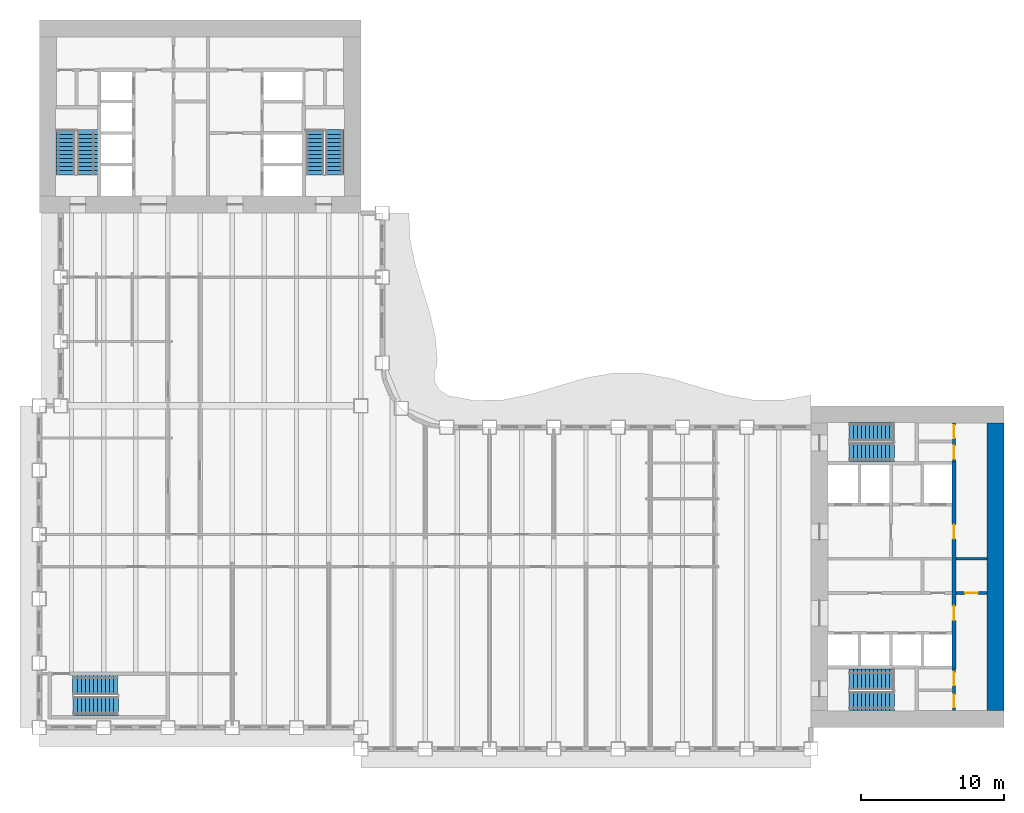
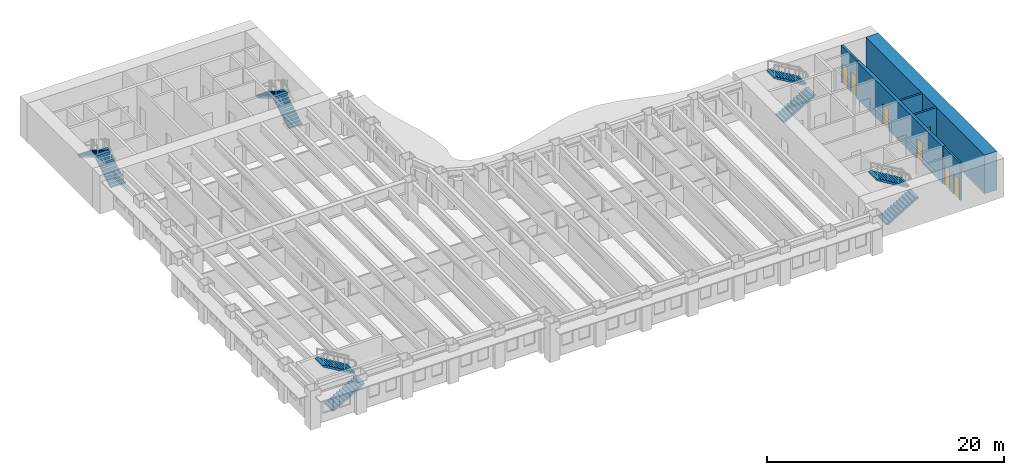
# One storey, part 10 of 16: 10 stair flights, 7 doors, 6 walls, 7 openings, 5 elements without a shape of their own.
"""IFC4 building model written with IfcOpenShell, lengths in metres."""

from ifc_helpers import new_model, si_unit, direction, frame, frame_2d, origin, place, context, subcontext, project, spatial, polyline, rectangle, outline, extrude, material, layer, layer_set, type_object, element, fill, aggregate, save


model = new_model("IFC4")

# Units and contexts
model_context = context("Model", 3, precision=1e-05, world=origin(), true_north=direction((0.0, 1.0)))
body_context = subcontext(model_context, "Body", "Model", "MODEL_VIEW")
ifc_project = project(units=[si_unit("LENGTHUNIT", "METRE"), si_unit("AREAUNIT", "SQUARE_METRE"), si_unit("VOLUMEUNIT", "CUBIC_METRE"), si_unit("PLANEANGLEUNIT", "RADIAN"), si_unit("MASSUNIT", "GRAM", prefix="KILO")], contexts=[model_context])

# Site, building, storey
site_placement = place(None, origin())
site = spatial("IfcSite", under=ifc_project, at=site_placement, CompositionType="ELEMENT")
building_placement = place(site_placement, origin())
building = spatial("IfcBuilding", under=site, at=building_placement, Name="Sennacour Bend Tower", CompositionType="ELEMENT")
storey_placement = place(building_placement, frame((0.0, 0.0, 123.0)))
storey = spatial("IfcBuildingStorey", under=building, at=storey_placement, Name="L28", CompositionType="ELEMENT", Elevation=123.0)

# Wall
ifc_material_1 = material(Name="Concrete C80/95", Category="concrete")
ifc_layer_1 = layer(ifc_material_1, 1.199951171875, Name="Concrete C80/95", Category="concrete")
ifc_layer_set_1 = layer_set([ifc_layer_1], Name="Concrete C80/95")
wall_type_1 = type_object("IfcWallType", Name="Core wall 1200 C80/95", PredefinedType="SHEAR", material=ifc_layer_set_1)
wall_1_placement = place(storey_placement, frame((66.89990234375, 1.199951171875, -0.14990234375), z_axis=(0.0, 0.0, 1.0), x_axis=(0.0, 1.0, 0.0)))
element("IfcWall", 1, at=wall_1_placement, inside=storey, type_object=wall_type_1, Name="Core A wall L28 E", PredefinedType="SHEAR", context=body_context, shape_type="SweptSolid", body=[
    extrude(rectangle(XDim=20.10009765625, YDim=1.199951171875, at=frame_2d((10.050048828125, 0.0))), origin(), (0.0, 0.0, 1.0), 4.0),
])

# Wall, openings, doors
ifc_material_2 = material(Name="Fire-rated plasterboard partition on steel studs", Category="steel")
ifc_layer_2 = layer(ifc_material_2, 0.199951171875, Name="Fire-rated plasterboard partition on steel studs", Category="steel")
ifc_layer_set_2 = layer_set([ifc_layer_2], Name="Fire-rated plasterboard partition on steel studs")
wall_type_2 = type_object("IfcWallType", Name="Rated partition 200", PredefinedType="PARTITIONING", material=ifc_layer_set_2)
wall_2_placement = place(storey_placement, frame((64.0, 1.199951171875, 0.0), z_axis=(0.0, 0.0, 1.0), x_axis=(0.0, 1.0, 0.0)))
wall_2 = element("IfcWall", 2, at=wall_2_placement, inside=storey, type_object=wall_type_2, Name="P-L28-W045", PredefinedType="PARTITIONING", context=body_context, shape_type="SweptSolid", body=[
    extrude(rectangle(XDim=2.900146484375, YDim=0.199951171875, at=frame_2d((1.4501953125, 0.0))), origin(), (0.0, 0.0, 1.0), 3.85009765625),
])
opening_1_placement = place(wall_2_placement, frame((0.199951171875, 0.0, 0.0)))
opening_1 = element("IfcOpeningElement", 3, at=opening_1_placement, cuts=wall_2, Name="Opening SV", PredefinedType="OPENING", context=body_context, shape_type="SweptSolid", body=[
    extrude(rectangle(XDim=0.89990234375, YDim=2.10009765625, at=frame_2d((0.449951171875, 1.050048828125))), frame((0.0, 0.10986328125, 0.0), z_axis=(0.0, -1.0, 0.0), x_axis=(1.0, 0.0, 0.0)), (0.0, 0.0, 1.0), 0.219970703125),
])
opening_2_placement = place(wall_2_placement, frame((1.75, 0.0, 0.0)))
opening_2 = element("IfcOpeningElement", 4, at=opening_2_placement, cuts=wall_2, Name="Opening WD", PredefinedType="OPENING", context=body_context, shape_type="SweptSolid", body=[
    extrude(rectangle(XDim=0.89990234375, YDim=2.10009765625, at=frame_2d((0.449951171875, 1.050048828125))), frame((0.0, 0.10986328125, 0.0), z_axis=(0.0, -1.0, 0.0), x_axis=(1.0, 0.0, 0.0)), (0.0, 0.0, 1.0), 0.219970703125),
])
ifc_material_3 = material(Name="Painted steel", Category="steel")
door_type_1 = type_object("IfcDoorType", Name="DR-SERVICE-900", OperationType="NOTDEFINED", PredefinedType="DOOR", material=ifc_material_3)
door_1_placement = place(opening_1_placement, origin())
door_1 = element("IfcDoor", 5, at=door_1_placement, inside=storey, type_object=door_type_1, Name="Door", OperationType="SINGLE_SWING_LEFT", OverallHeight=2.10009765625, OverallWidth=0.89990234375, PredefinedType="DOOR", context=body_context, shape_type="SweptSolid", body=[
    extrude(rectangle(XDim=0.89990234375, YDim=2.10009765625, at=frame_2d((0.449951171875, 1.050048828125))), frame((0.0, 0.02490234375, 0.0), z_axis=(0.0, -1.0, 0.0), x_axis=(1.0, 0.0, 0.0)), (0.0, 0.0, 1.0), 0.050048828125),
])
fill(opening_1, door_1)
ifc_material_4 = material(Name="Timber", Category="wood")
door_type_2 = type_object("IfcDoorType", Name="DR-WC-900", OperationType="NOTDEFINED", PredefinedType="DOOR", material=ifc_material_4)
door_2_placement = place(opening_2_placement, origin())
door_2 = element("IfcDoor", 6, at=door_2_placement, inside=storey, type_object=door_type_2, Name="Door", OperationType="SINGLE_SWING_RIGHT", OverallHeight=2.10009765625, OverallWidth=0.89990234375, PredefinedType="DOOR", context=body_context, shape_type="SweptSolid", body=[
    extrude(rectangle(XDim=0.89990234375, YDim=2.10009765625, at=frame_2d((0.449951171875, 1.050048828125))), frame((0.0, 0.02490234375, 0.0), z_axis=(0.0, -1.0, 0.0), x_axis=(1.0, 0.0, 0.0)), (0.0, 0.0, 1.0), 0.050048828125),
])
fill(opening_2, door_2)

wall_3_placement = place(storey_placement, frame((64.0, 18.60009765625, 0.0), z_axis=(0.0, 0.0, 1.0), x_axis=(0.0, 1.0, 0.0)))
wall_3 = element("IfcWall", 7, at=wall_3_placement, inside=storey, type_object=wall_type_2, Name="P-L28-W047", PredefinedType="PARTITIONING", context=body_context, shape_type="SweptSolid", body=[
    extrude(rectangle(XDim=2.699951171875, YDim=0.199951171875, at=frame_2d((1.35009765625, 0.0))), origin(), (0.0, 0.0, 1.0), 3.85009765625),
])
opening_3_placement = place(wall_3_placement, frame((0.199951171875, 0.0, 0.0)))
opening_3 = element("IfcOpeningElement", 8, at=opening_3_placement, cuts=wall_3, Name="Opening SV", PredefinedType="OPENING", context=body_context, shape_type="SweptSolid", body=[
    extrude(rectangle(XDim=0.89990234375, YDim=2.10009765625, at=frame_2d((0.449951171875, 1.050048828125))), frame((0.0, 0.10986328125, 0.0), z_axis=(0.0, -1.0, 0.0), x_axis=(1.0, 0.0, 0.0)), (0.0, 0.0, 1.0), 0.219970703125),
])
opening_4_placement = place(wall_3_placement, frame((1.64990234375, 0.0, 0.0)))
opening_4 = element("IfcOpeningElement", 9, at=opening_4_placement, cuts=wall_3, Name="Opening SV", PredefinedType="OPENING", context=body_context, shape_type="SweptSolid", body=[
    extrude(rectangle(XDim=0.89990234375, YDim=2.10009765625, at=frame_2d((0.449951171875, 1.050048828125))), frame((0.0, 0.10986328125, 0.0), z_axis=(0.0, -1.0, 0.0), x_axis=(1.0, 0.0, 0.0)), (0.0, 0.0, 1.0), 0.219970703125),
])
door_3_placement = place(opening_3_placement, origin())
door_3 = element("IfcDoor", 10, at=door_3_placement, inside=storey, type_object=door_type_1, Name="Door", OperationType="SINGLE_SWING_LEFT", OverallHeight=2.10009765625, OverallWidth=0.89990234375, PredefinedType="DOOR", context=body_context, shape_type="SweptSolid", body=[
    extrude(rectangle(XDim=0.89990234375, YDim=2.10009765625, at=frame_2d((0.449951171875, 1.050048828125))), frame((0.0, 0.02490234375, 0.0), z_axis=(0.0, -1.0, 0.0), x_axis=(1.0, 0.0, 0.0)), (0.0, 0.0, 1.0), 0.050048828125),
])
fill(opening_3, door_3)
door_4_placement = place(opening_4_placement, origin())
door_4 = element("IfcDoor", 11, at=door_4_placement, inside=storey, type_object=door_type_1, Name="Door", OperationType="SINGLE_SWING_RIGHT", OverallHeight=2.10009765625, OverallWidth=0.89990234375, PredefinedType="DOOR", context=body_context, shape_type="SweptSolid", body=[
    extrude(rectangle(XDim=0.89990234375, YDim=2.10009765625, at=frame_2d((0.449951171875, 1.050048828125))), frame((0.0, 0.02490234375, 0.0), z_axis=(0.0, -1.0, 0.0), x_axis=(1.0, 0.0, 0.0)), (0.0, 0.0, 1.0), 0.050048828125),
])
fill(opening_4, door_4)

# Wall, opening, door
wall_4_placement = place(storey_placement, frame((64.14990234375, 9.39990234375, 0.0), z_axis=(0.0, 0.0, 1.0), x_axis=(1.0, 0.0, 0.0)))
wall_4 = element("IfcWall", 12, at=wall_4_placement, inside=storey, type_object=wall_type_2, Name="P-L28-W057c", PredefinedType="PARTITIONING", context=body_context, shape_type="SweptSolid", body=[
    extrude(rectangle(XDim=2.150146484375, YDim=0.199951171875, at=frame_2d((1.0751953125, 0.0))), origin(), (0.0, 0.0, 1.0), 3.85009765625),
])
opening_5_placement = place(wall_4_placement, frame((0.625, 0.0, 0.0)))
opening_5 = element("IfcOpeningElement", 13, at=opening_5_placement, cuts=wall_4, Name="Opening SV", PredefinedType="OPENING", context=body_context, shape_type="SweptSolid", body=[
    extrude(rectangle(XDim=0.89990234375, YDim=2.10009765625, at=frame_2d((0.449951171875, 1.050048828125))), frame((0.0, 0.10986328125, 0.0), z_axis=(0.0, -1.0, 0.0), x_axis=(1.0, 0.0, 0.0)), (0.0, 0.0, 1.0), 0.219970703125),
])
door_5_placement = place(opening_5_placement, origin())
door_5 = element("IfcDoor", 14, at=door_5_placement, inside=storey, type_object=door_type_1, Name="Door", OperationType="SINGLE_SWING_LEFT", OverallHeight=2.10009765625, OverallWidth=0.89990234375, PredefinedType="DOOR", context=body_context, shape_type="SweptSolid", body=[
    extrude(rectangle(XDim=0.89990234375, YDim=2.10009765625, at=frame_2d((0.449951171875, 1.050048828125))), frame((0.0, 0.02490234375, 0.0), z_axis=(0.0, -1.0, 0.0), x_axis=(1.0, 0.0, 0.0)), (0.0, 0.0, 1.0), 0.050048828125),
])
fill(opening_5, door_5)

# Wall
wall_5_placement = place(storey_placement, frame((64.14990234375, 11.800048828125, 0.0), z_axis=(0.0, 0.0, 1.0), x_axis=(1.0, 0.0, 0.0)))
element("IfcWall", 15, at=wall_5_placement, inside=storey, type_object=wall_type_2, Name="P-L28-W059d", PredefinedType="PARTITIONING", context=body_context, shape_type="SweptSolid", body=[
    extrude(rectangle(XDim=2.150146484375, YDim=0.199951171875, at=frame_2d((1.0751953125, 0.0))), origin(), (0.0, 0.0, 1.0), 3.85009765625),
])

# Wall, openings, doors
ifc_material_5 = material(Name="Concrete C60/75", Category="concrete")
ifc_layer_3 = layer(ifc_material_5, 0.300048828125, Name="Concrete C60/75", Category="concrete")
ifc_layer_set_3 = layer_set([ifc_layer_3], Name="Concrete C60/75")
wall_type_3 = type_object("IfcWallType", Name="Spine wall 300", PredefinedType="SHEAR", material=ifc_layer_set_3)
wall_6_placement = place(storey_placement, frame((64.0, 4.10009765625, 0.0), z_axis=(0.0, 0.0, 1.0), x_axis=(0.0, 1.0, 0.0)))
wall_6 = element("IfcWall", 16, at=wall_6_placement, inside=storey, type_object=wall_type_3, Name="P-L28-W046", PredefinedType="SHEAR", context=body_context, shape_type="SweptSolid", body=[
    extrude(rectangle(XDim=14.5, YDim=0.300048828125, at=frame_2d((7.25, 0.0))), origin(), (0.0, 0.0, 1.0), 3.85009765625),
])
opening_6_placement = place(wall_6_placement, frame((3.39990234375, 0.0, 0.0)))
opening_6 = element("IfcOpeningElement", 17, at=opening_6_placement, cuts=wall_6, Name="Opening CD2", PredefinedType="OPENING", context=body_context, shape_type="SweptSolid", body=[
    extrude(rectangle(XDim=1.0, YDim=2.10009765625, at=frame_2d((0.5, 1.050048828125))), frame((0.0, 0.16015625, 0.0), z_axis=(0.0, -1.0, 0.0), x_axis=(1.0, 0.0, 0.0)), (0.0, 0.0, 1.0), 0.320068359375),
])
opening_7_placement = place(wall_6_placement, frame((9.099853515625, 0.0, 0.0)))
opening_7 = element("IfcOpeningElement", 18, at=opening_7_placement, cuts=wall_6, Name="Opening CD2", PredefinedType="OPENING", context=body_context, shape_type="SweptSolid", body=[
    extrude(rectangle(XDim=1.0, YDim=2.10009765625, at=frame_2d((0.5, 1.050048828125))), frame((0.0, 0.16015625, 0.0), z_axis=(0.0, -1.0, 0.0), x_axis=(1.0, 0.0, 0.0)), (0.0, 0.0, 1.0), 0.320068359375),
])
door_type_3 = type_object("IfcDoorType", Name="DR-LOBBY-1000", OperationType="NOTDEFINED", PredefinedType="DOOR", material=ifc_material_3)
door_6_placement = place(opening_6_placement, origin())
door_6 = element("IfcDoor", 19, at=door_6_placement, inside=storey, type_object=door_type_3, Name="Door", OperationType="SINGLE_SWING_LEFT", OverallHeight=2.10009765625, OverallWidth=1.0, PredefinedType="DOOR", context=body_context, shape_type="SweptSolid", body=[
    extrude(rectangle(XDim=1.0, YDim=2.10009765625, at=frame_2d((0.5, 1.050048828125))), frame((0.0, 0.02490234375, 0.0), z_axis=(0.0, -1.0, 0.0), x_axis=(1.0, 0.0, 0.0)), (0.0, 0.0, 1.0), 0.050048828125),
])
fill(opening_6, door_6)
door_7_placement = place(opening_7_placement, origin())
door_7 = element("IfcDoor", 20, at=door_7_placement, inside=storey, type_object=door_type_3, Name="Door", OperationType="SINGLE_SWING_RIGHT", OverallHeight=2.10009765625, OverallWidth=1.0, PredefinedType="DOOR", context=body_context, shape_type="SweptSolid", body=[
    extrude(rectangle(XDim=1.0, YDim=2.10009765625, at=frame_2d((0.5, 1.050048828125))), frame((0.0, 0.02490234375, 0.0), z_axis=(0.0, -1.0, 0.0), x_axis=(1.0, 0.0, 0.0)), (0.0, 0.0, 1.0), 0.050048828125),
])
fill(opening_7, door_7)

# Stair, stair flights
ifc_material_6 = material(Name="Concrete C40/50", Category="concrete")
stair_type = type_object("IfcStairType", Name="ST-DOGLEG", PredefinedType="HALF_TURN_STAIR", material=ifc_material_6)
stair_1_placement = place(storey_placement, origin())
stair_1 = element("IfcStair", 21, at=stair_1_placement, inside=storey, type_object=stair_type, Name="L28 Exit stair A1", PredefinedType="HALF_TURN_STAIR")
stair_flight_type = type_object("IfcStairFlightType", Name="SFL-RC", PredefinedType="STRAIGHT", material=ifc_material_6)
stair_flight_1_placement = place(storey_placement, frame((56.699951171875, 1.8349609375, 0.0), z_axis=(0.0, 0.0, 1.0), x_axis=(1.0, 0.0, 0.0)))
stair_flight_1 = element("IfcStairFlight", 22, at=stair_flight_1_placement, type_object=stair_flight_type, Name="SA1 flight 1", NumberOfRisers=12, NumberOfTreads=11, PredefinedType="STRAIGHT", RiserHeight=0.166666667, TreadLength=0.28, context=body_context, shape_type="SweptSolid", body=[
    extrude(outline(polyline([(0.0, 0.0), (0.0, 0.166748046875), (0.280029296875, 0.166748046875), (0.280029296875, 0.333251953125), (0.56005859375, 0.333251953125), (0.56005859375, 0.5), (0.840087890625, 0.5), (0.840087890625, 0.666748046875), (1.1201171875, 0.666748046875), (1.1201171875, 0.833251953125), (1.39990234375, 0.833251953125), (1.39990234375, 1.0), (1.679931640625, 1.0), (1.679931640625, 1.166748046875), (1.9599609375, 1.166748046875), (1.9599609375, 1.333251953125), (2.239990234375, 1.333251953125), (2.239990234375, 1.5), (2.52001953125, 1.5), (2.52001953125, 1.666748046875), (2.800048828125, 1.666748046875), (2.800048828125, 1.833251953125), (3.080078125, 1.833251953125), (3.139892578125, 1.833251953125), (3.139892578125, 1.658935546875), (3.080078125, 1.658935546875), (0.29296875, 0.0), (0.0, 0.0)])), frame((0.0, 0.6650390625, 0.0), z_axis=(0.0, -1.0, 0.0), x_axis=(1.0, 0.0, 0.0)), (0.0, 0.0, 1.0), 1.330078125),
])
stair_flight_2_placement = place(storey_placement, frame((59.780029296875, 3.37744140625, 2.0), z_axis=(0.0, 0.0, 1.0), x_axis=(-1.0, 0.0, 0.0)))
stair_flight_2 = element("IfcStairFlight", 23, at=stair_flight_2_placement, type_object=stair_flight_type, Name="SA1 flight 2", NumberOfRisers=12, NumberOfTreads=11, PredefinedType="STRAIGHT", RiserHeight=0.166666667, TreadLength=0.28, context=body_context, shape_type="SweptSolid", body=[
    extrude(outline(polyline([(0.0, 0.0), (0.0, 0.166748046875), (0.280029296875, 0.166748046875), (0.280029296875, 0.333251953125), (0.56005859375, 0.333251953125), (0.56005859375, 0.5), (0.840087890625, 0.5), (0.840087890625, 0.666748046875), (1.1201171875, 0.666748046875), (1.1201171875, 0.833251953125), (1.39990234375, 0.833251953125), (1.39990234375, 1.0), (1.679931640625, 1.0), (1.679931640625, 1.166748046875), (1.9599609375, 1.166748046875), (1.9599609375, 1.333251953125), (2.239990234375, 1.333251953125), (2.239990234375, 1.5), (2.52001953125, 1.5), (2.52001953125, 1.666748046875), (2.800048828125, 1.666748046875), (2.800048828125, 1.833251953125), (3.080078125, 1.833251953125), (3.139892578125, 1.833251953125), (3.139892578125, 1.658935546875), (3.080078125, 1.658935546875), (0.29296875, 0.0), (0.0, 0.0)])), frame((0.0, 0.7275390625, 0.0), z_axis=(0.0, -1.0, 0.0), x_axis=(1.0, 0.0, 0.0)), (0.0, 0.0, 1.0), 1.455078125),
])
aggregate(stair_1, [stair_flight_1, stair_flight_2])

stair_2_placement = place(storey_placement, origin())
stair_2 = element("IfcStair", 24, at=stair_2_placement, inside=storey, type_object=stair_type, Name="L28 Exit stair A2", PredefinedType="HALF_TURN_STAIR")
stair_flight_3_placement = place(storey_placement, frame((56.699951171875, 19.24755859375, 0.0), z_axis=(0.0, 0.0, 1.0), x_axis=(1.0, 0.0, 0.0)))
stair_flight_3 = element("IfcStairFlight", 25, at=stair_flight_3_placement, type_object=stair_flight_type, Name="SA2 flight 1", NumberOfRisers=12, NumberOfTreads=11, PredefinedType="STRAIGHT", RiserHeight=0.166666667, TreadLength=0.28, context=body_context, shape_type="SweptSolid", body=[
    extrude(outline(polyline([(0.0, 0.0), (0.0, 0.166748046875), (0.280029296875, 0.166748046875), (0.280029296875, 0.333251953125), (0.56005859375, 0.333251953125), (0.56005859375, 0.5), (0.840087890625, 0.5), (0.840087890625, 0.666748046875), (1.1201171875, 0.666748046875), (1.1201171875, 0.833251953125), (1.39990234375, 0.833251953125), (1.39990234375, 1.0), (1.679931640625, 1.0), (1.679931640625, 1.166748046875), (1.9599609375, 1.166748046875), (1.9599609375, 1.333251953125), (2.239990234375, 1.333251953125), (2.239990234375, 1.5), (2.52001953125, 1.5), (2.52001953125, 1.666748046875), (2.800048828125, 1.666748046875), (2.800048828125, 1.833251953125), (3.080078125, 1.833251953125), (3.139892578125, 1.833251953125), (3.139892578125, 1.658935546875), (3.080078125, 1.658935546875), (0.29296875, 0.0), (0.0, 0.0)])), frame((0.0, 0.65234375, 0.0), z_axis=(0.0, -1.0, 0.0), x_axis=(1.0, 0.0, 0.0)), (0.0, 0.0, 1.0), 1.304931640625),
])
stair_flight_4_placement = place(storey_placement, frame((59.780029296875, 20.68994140625, 2.0), z_axis=(0.0, 0.0, 1.0), x_axis=(-1.0, 0.0, 0.0)))
stair_flight_4 = element("IfcStairFlight", 26, at=stair_flight_4_placement, type_object=stair_flight_type, Name="SA2 flight 2", NumberOfRisers=12, NumberOfTreads=11, PredefinedType="STRAIGHT", RiserHeight=0.166666667, TreadLength=0.28, context=body_context, shape_type="SweptSolid", body=[
    extrude(outline(polyline([(0.0, 0.0), (0.0, 0.166748046875), (0.280029296875, 0.166748046875), (0.280029296875, 0.333251953125), (0.56005859375, 0.333251953125), (0.56005859375, 0.5), (0.840087890625, 0.5), (0.840087890625, 0.666748046875), (1.1201171875, 0.666748046875), (1.1201171875, 0.833251953125), (1.39990234375, 0.833251953125), (1.39990234375, 1.0), (1.679931640625, 1.0), (1.679931640625, 1.166748046875), (1.9599609375, 1.166748046875), (1.9599609375, 1.333251953125), (2.239990234375, 1.333251953125), (2.239990234375, 1.5), (2.52001953125, 1.5), (2.52001953125, 1.666748046875), (2.800048828125, 1.666748046875), (2.800048828125, 1.833251953125), (3.080078125, 1.833251953125), (3.139892578125, 1.833251953125), (3.139892578125, 1.658935546875), (3.080078125, 1.658935546875), (0.29296875, 0.0), (0.0, 0.0)])), frame((0.0, 0.64013671875, 0.0), z_axis=(0.0, -1.0, 0.0), x_axis=(1.0, 0.0, 0.0)), (0.0, 0.0, 1.0), 1.280029296875),
])
aggregate(stair_2, [stair_flight_3, stair_flight_4])

stair_3_placement = place(storey_placement, origin())
stair_3 = element("IfcStair", 27, at=stair_3_placement, inside=storey, type_object=stair_type, Name="L28 Exit stair B1", PredefinedType="HALF_TURN_STAIR")
stair_flight_5_placement = place(storey_placement, frame((3.37744140625, 38.699951171875, 0.0), z_axis=(0.0, 0.0, 1.0), x_axis=(0.0, 1.0, 0.0)))
stair_flight_5 = element("IfcStairFlight", 28, at=stair_flight_5_placement, type_object=stair_flight_type, Name="SB1 flight 1", NumberOfRisers=12, NumberOfTreads=11, PredefinedType="STRAIGHT", RiserHeight=0.166666667, TreadLength=0.28, context=body_context, shape_type="SweptSolid", body=[
    extrude(outline(polyline([(0.0, 0.0), (0.0, 0.166748046875), (0.280029296875, 0.166748046875), (0.280029296875, 0.333251953125), (0.56005859375, 0.333251953125), (0.56005859375, 0.5), (0.840087890625, 0.5), (0.840087890625, 0.666748046875), (1.1201171875, 0.666748046875), (1.1201171875, 0.833251953125), (1.39990234375, 0.833251953125), (1.39990234375, 1.0), (1.679931640625, 1.0), (1.679931640625, 1.166748046875), (1.9599609375, 1.166748046875), (1.9599609375, 1.333251953125), (2.239990234375, 1.333251953125), (2.239990234375, 1.5), (2.52001953125, 1.5), (2.52001953125, 1.666748046875), (2.800048828125, 1.666748046875), (2.800048828125, 1.833251953125), (3.080078125, 1.833251953125), (3.139892578125, 1.833251953125), (3.139892578125, 1.658935546875), (3.080078125, 1.658935546875), (0.29296875, 0.0), (0.0, 0.0)])), frame((0.0, 0.7275390625, 0.0), z_axis=(0.0, -1.0, 0.0), x_axis=(1.0, 0.0, 0.0)), (0.0, 0.0, 1.0), 1.455078125),
])
stair_flight_6_placement = place(storey_placement, frame((1.8349609375, 41.780029296875, 2.0), z_axis=(0.0, 0.0, 1.0), x_axis=(0.0, -1.0, 0.0)))
stair_flight_6 = element("IfcStairFlight", 29, at=stair_flight_6_placement, type_object=stair_flight_type, Name="SB1 flight 2", NumberOfRisers=12, NumberOfTreads=11, PredefinedType="STRAIGHT", RiserHeight=0.166666667, TreadLength=0.28, context=body_context, shape_type="SweptSolid", body=[
    extrude(outline(polyline([(0.0, 0.0), (0.0, 0.166748046875), (0.280029296875, 0.166748046875), (0.280029296875, 0.333251953125), (0.56005859375, 0.333251953125), (0.56005859375, 0.5), (0.840087890625, 0.5), (0.840087890625, 0.666748046875), (1.1201171875, 0.666748046875), (1.1201171875, 0.833251953125), (1.39990234375, 0.833251953125), (1.39990234375, 1.0), (1.679931640625, 1.0), (1.679931640625, 1.166748046875), (1.9599609375, 1.166748046875), (1.9599609375, 1.333251953125), (2.239990234375, 1.333251953125), (2.239990234375, 1.5), (2.52001953125, 1.5), (2.52001953125, 1.666748046875), (2.800048828125, 1.666748046875), (2.800048828125, 1.833251953125), (3.080078125, 1.833251953125), (3.139892578125, 1.833251953125), (3.139892578125, 1.658935546875), (3.080078125, 1.658935546875), (0.29296875, 0.0), (0.0, 0.0)])), frame((0.0, 0.6650390625, 0.0), z_axis=(0.0, -1.0, 0.0), x_axis=(1.0, 0.0, 0.0)), (0.0, 0.0, 1.0), 1.330078125),
])
aggregate(stair_3, [stair_flight_5, stair_flight_6])

stair_4_placement = place(storey_placement, origin())
stair_4 = element("IfcStair", 30, at=stair_4_placement, inside=storey, type_object=stair_type, Name="L28 Exit stair B2", PredefinedType="HALF_TURN_STAIR")
stair_flight_7_placement = place(storey_placement, frame((20.68994140625, 38.699951171875, 0.0), z_axis=(0.0, 0.0, 1.0), x_axis=(0.0, 1.0, 0.0)))
stair_flight_7 = element("IfcStairFlight", 31, at=stair_flight_7_placement, type_object=stair_flight_type, Name="SB2 flight 1", NumberOfRisers=12, NumberOfTreads=11, PredefinedType="STRAIGHT", RiserHeight=0.166666667, TreadLength=0.28, context=body_context, shape_type="SweptSolid", body=[
    extrude(outline(polyline([(0.0, 0.0), (0.0, 0.166748046875), (0.280029296875, 0.166748046875), (0.280029296875, 0.333251953125), (0.56005859375, 0.333251953125), (0.56005859375, 0.5), (0.840087890625, 0.5), (0.840087890625, 0.666748046875), (1.1201171875, 0.666748046875), (1.1201171875, 0.833251953125), (1.39990234375, 0.833251953125), (1.39990234375, 1.0), (1.679931640625, 1.0), (1.679931640625, 1.166748046875), (1.9599609375, 1.166748046875), (1.9599609375, 1.333251953125), (2.239990234375, 1.333251953125), (2.239990234375, 1.5), (2.52001953125, 1.5), (2.52001953125, 1.666748046875), (2.800048828125, 1.666748046875), (2.800048828125, 1.833251953125), (3.080078125, 1.833251953125), (3.139892578125, 1.833251953125), (3.139892578125, 1.658935546875), (3.080078125, 1.658935546875), (0.29296875, 0.0), (0.0, 0.0)])), frame((0.0, 0.64013671875, 0.0), z_axis=(0.0, -1.0, 0.0), x_axis=(1.0, 0.0, 0.0)), (0.0, 0.0, 1.0), 1.280029296875),
])
stair_flight_8_placement = place(storey_placement, frame((19.24755859375, 41.780029296875, 2.0), z_axis=(0.0, 0.0, 1.0), x_axis=(0.0, -1.0, 0.0)))
stair_flight_8 = element("IfcStairFlight", 32, at=stair_flight_8_placement, type_object=stair_flight_type, Name="SB2 flight 2", NumberOfRisers=12, NumberOfTreads=11, PredefinedType="STRAIGHT", RiserHeight=0.166666667, TreadLength=0.28, context=body_context, shape_type="SweptSolid", body=[
    extrude(outline(polyline([(0.0, 0.0), (0.0, 0.166748046875), (0.280029296875, 0.166748046875), (0.280029296875, 0.333251953125), (0.56005859375, 0.333251953125), (0.56005859375, 0.5), (0.840087890625, 0.5), (0.840087890625, 0.666748046875), (1.1201171875, 0.666748046875), (1.1201171875, 0.833251953125), (1.39990234375, 0.833251953125), (1.39990234375, 1.0), (1.679931640625, 1.0), (1.679931640625, 1.166748046875), (1.9599609375, 1.166748046875), (1.9599609375, 1.333251953125), (2.239990234375, 1.333251953125), (2.239990234375, 1.5), (2.52001953125, 1.5), (2.52001953125, 1.666748046875), (2.800048828125, 1.666748046875), (2.800048828125, 1.833251953125), (3.080078125, 1.833251953125), (3.139892578125, 1.833251953125), (3.139892578125, 1.658935546875), (3.080078125, 1.658935546875), (0.29296875, 0.0), (0.0, 0.0)])), frame((0.0, 0.65234375, 0.0), z_axis=(0.0, -1.0, 0.0), x_axis=(1.0, 0.0, 0.0)), (0.0, 0.0, 1.0), 1.304931640625),
])
aggregate(stair_4, [stair_flight_7, stair_flight_8])

stair_5_placement = place(storey_placement, origin())
stair_5 = element("IfcStair", 33, at=stair_5_placement, inside=storey, type_object=stair_type, Name="L28 Exit stair K1", PredefinedType="HALF_TURN_STAIR")
stair_flight_9_placement = place(storey_placement, frame((2.39990234375, 1.485107421875, 0.0), z_axis=(0.0, 0.0, 1.0), x_axis=(1.0, 0.0, 0.0)))
stair_flight_9 = element("IfcStairFlight", 34, at=stair_flight_9_placement, type_object=stair_flight_type, Name="SK1 flight 1", NumberOfRisers=12, NumberOfTreads=11, PredefinedType="STRAIGHT", RiserHeight=0.166666667, TreadLength=0.28, context=body_context, shape_type="SweptSolid", body=[
    extrude(outline(polyline([(0.0, 0.0), (0.0, 0.166748046875), (0.280029296875, 0.166748046875), (0.280029296875, 0.333251953125), (0.56005859375, 0.333251953125), (0.56005859375, 0.5), (0.840087890625, 0.5), (0.840087890625, 0.666748046875), (1.1201171875, 0.666748046875), (1.1201171875, 0.833251953125), (1.39990234375, 0.833251953125), (1.39990234375, 1.0), (1.679931640625, 1.0), (1.679931640625, 1.166748046875), (1.9599609375, 1.166748046875), (1.9599609375, 1.333251953125), (2.239990234375, 1.333251953125), (2.239990234375, 1.5), (2.52001953125, 1.5), (2.52001953125, 1.666748046875), (2.800048828125, 1.666748046875), (2.800048828125, 1.833251953125), (3.080078125, 1.833251953125), (3.139892578125, 1.833251953125), (3.139892578125, 1.658935546875), (3.080078125, 1.658935546875), (0.29296875, 0.0), (0.0, 0.0)])), frame((0.0, 0.6650390625, 0.0), z_axis=(0.0, -1.0, 0.0), x_axis=(1.0, 0.0, 0.0)), (0.0, 0.0, 1.0), 1.330078125),
])
stair_flight_10_placement = place(storey_placement, frame((5.47998046875, 2.9775390625, 2.0), z_axis=(0.0, 0.0, 1.0), x_axis=(-1.0, 0.0, 0.0)))
stair_flight_10 = element("IfcStairFlight", 35, at=stair_flight_10_placement, type_object=stair_flight_type, Name="SK1 flight 2", NumberOfRisers=12, NumberOfTreads=11, PredefinedType="STRAIGHT", RiserHeight=0.166666667, TreadLength=0.28, context=body_context, shape_type="SweptSolid", body=[
    extrude(outline(polyline([(0.0, 0.0), (0.0, 0.166748046875), (0.280029296875, 0.166748046875), (0.280029296875, 0.333251953125), (0.56005859375, 0.333251953125), (0.56005859375, 0.5), (0.840087890625, 0.5), (0.840087890625, 0.666748046875), (1.1201171875, 0.666748046875), (1.1201171875, 0.833251953125), (1.39990234375, 0.833251953125), (1.39990234375, 1.0), (1.679931640625, 1.0), (1.679931640625, 1.166748046875), (1.9599609375, 1.166748046875), (1.9599609375, 1.333251953125), (2.239990234375, 1.333251953125), (2.239990234375, 1.5), (2.52001953125, 1.5), (2.52001953125, 1.666748046875), (2.800048828125, 1.666748046875), (2.800048828125, 1.833251953125), (3.080078125, 1.833251953125), (3.139892578125, 1.833251953125), (3.139892578125, 1.658935546875), (3.080078125, 1.658935546875), (0.29296875, 0.0), (0.0, 0.0)])), frame((0.0, 0.677490234375, 0.0), z_axis=(0.0, -1.0, 0.0), x_axis=(1.0, 0.0, 0.0)), (0.0, 0.0, 1.0), 1.35498046875),
])
aggregate(stair_5, [stair_flight_9, stair_flight_10])

save(model, "model.ifc")
